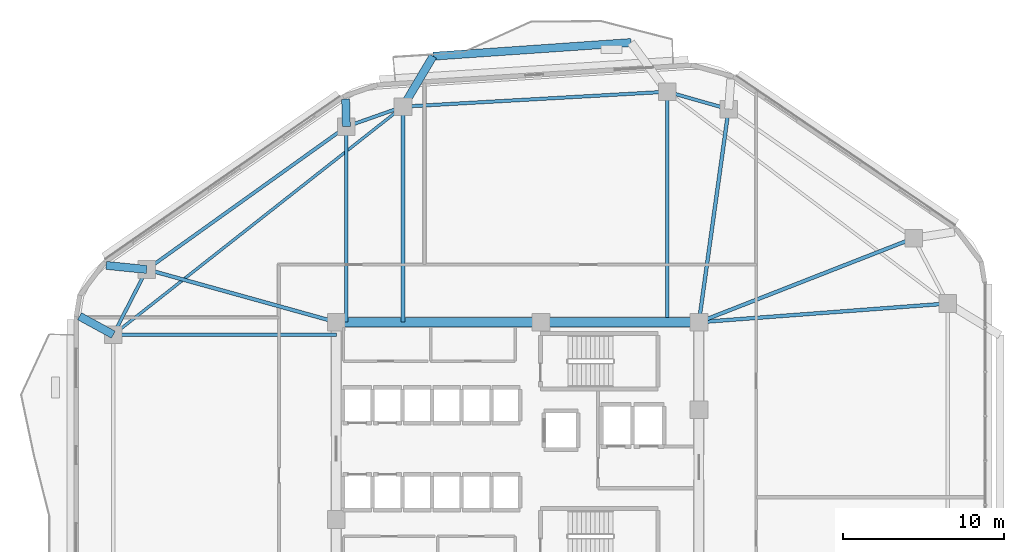
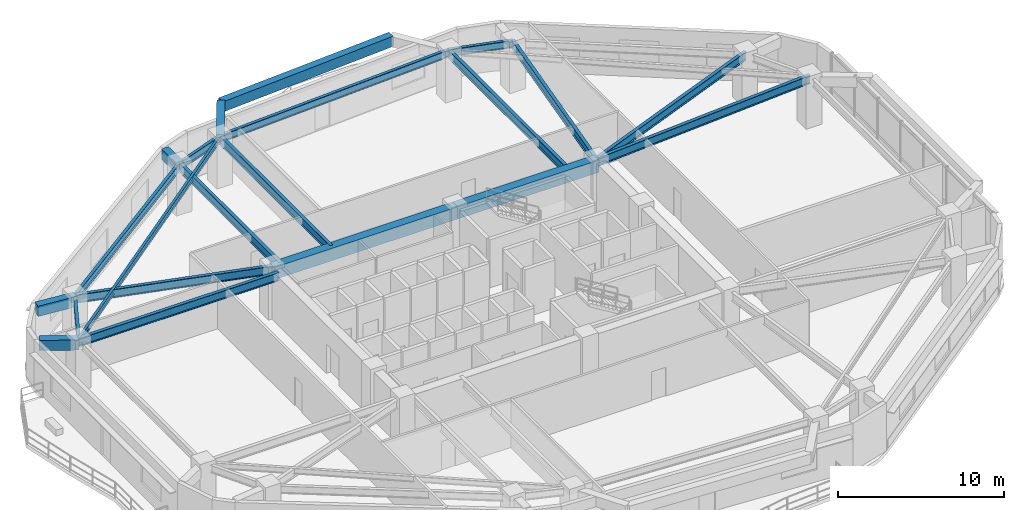
# One storey, part 5 of 13: 21 beams.
"""IFC4 building model written with IfcOpenShell, lengths in metres."""

import ifcopenshell
import ifcopenshell.guid

model = None  # the IFC model being written
_history = None  # IfcOwnerHistory: only IFC2X3 demands one
_inside = {}  # id of a spatial element -> (the spatial element, [elements in it])
_under = {}  # id of a project, library or spatial element -> (it, [spatial elements below it])
_declared = {}  # id of a project -> (the project, [libraries it declares])
_typed = {}  # id of a type object -> (the type object, [elements of that type])
_made_of = {}  # id of a material, layer set ... -> (it, [elements and type objects made of it])


def new_model(schema):
    """Start an empty IFC model of exactly this schema.

    Asked for "IFC4X3", IfcOpenShell would pick the latest addendum, in which some entities
    have other attributes; the version numbers below select the first issue.
    IFC2X3 requires an IfcOwnerHistory on every rooted entity: one is made here for all.
    """
    global model, _history
    if schema == "IFC4X3":
        model = ifcopenshell.file(schema_version=(4, 3, 0, 0))
    else:
        model = ifcopenshell.file(schema=schema)
    _inside.clear()
    _under.clear()
    _declared.clear()
    _typed.clear()
    _made_of.clear()
    _history = None
    if model.schema == "IFC2X3":
        org = make("IfcOrganization", Name="unknown")
        user = make(
            "IfcPersonAndOrganization",
            ThePerson=make("IfcPerson", FamilyName="unknown"),
            TheOrganization=org,
        )
        app = make(
            "IfcApplication",
            ApplicationDeveloper=org,
            Version="unknown",
            ApplicationFullName="unknown",
            ApplicationIdentifier="unknown",
        )
        _history = make(
            "IfcOwnerHistory",
            OwningUser=user,
            OwningApplication=app,
            ChangeAction="ADDED",
            CreationDate=0,
        )
    return model


def make(cls, **values):
    """One entity of the class cls with the attributes given. An attribute that is None is left unset."""
    return model.create_entity(
        cls, **{name: value for name, value in values.items() if value is not None}
    )


def rooted(cls, **values):
    """An entity with a GlobalId (a new one), such as an element, a storey or a relation."""
    return make(cls, GlobalId=ifcopenshell.guid.new(), OwnerHistory=_history, **values)


def si_unit(unit_type, name, prefix=None):
    """IfcSIUnit, for example si_unit("LENGTHUNIT", "METRE", prefix="MILLI")."""
    return make("IfcSIUnit", UnitType=unit_type, Prefix=prefix, Name=name)


def assignment(units):
    """IfcUnitAssignment: the units of a project."""
    return None if units is None else make("IfcUnitAssignment", Units=units)


def point(xyz):
    """IfcCartesianPoint."""
    return None if xyz is None else make("IfcCartesianPoint", Coordinates=xyz)


def direction(xyz):
    """IfcDirection."""
    return None if xyz is None else make("IfcDirection", DirectionRatios=xyz)


def frame(location, z_axis=None, x_axis=None):
    """IfcAxis2Placement3D, a coordinate frame: its origin and axes. An axis left out is left unset."""
    return make(
        "IfcAxis2Placement3D",
        Location=point(location),
        Axis=direction(z_axis),
        RefDirection=direction(x_axis),
    )


def frame_2d(location, x_axis=None):
    """IfcAxis2Placement2D, a coordinate frame in the plane: its origin and x axis."""
    return make(
        "IfcAxis2Placement2D", Location=point(location), RefDirection=direction(x_axis)
    )


def origin():
    """The frame at (0, 0, 0) with its axes left unset."""
    return frame((0.0, 0.0, 0.0))


def origin_2d():
    """The frame at (0, 0) in the plane with its x axis left unset."""
    return frame_2d((0.0, 0.0))


def place(relative_to, where):
    """IfcLocalPlacement: puts the frame where relative to a parent placement (None: the world)."""
    return make(
        "IfcLocalPlacement", PlacementRelTo=relative_to, RelativePlacement=where
    )


def context(
    kind, dimensions, precision=None, world=None, true_north=None, identifier=None
):
    """IfcGeometricRepresentationContext, for example the 3D "Model" context."""
    return make(
        "IfcGeometricRepresentationContext",
        ContextIdentifier=identifier,
        ContextType=kind,
        CoordinateSpaceDimension=dimensions,
        Precision=precision,
        WorldCoordinateSystem=world,
        TrueNorth=true_north,
    )


def subcontext(parent, identifier, kind, view, scale=None):
    """IfcGeometricRepresentationSubContext, for example "Body" below "Model"."""
    return make(
        "IfcGeometricRepresentationSubContext",
        ContextIdentifier=identifier,
        ContextType=kind,
        ParentContext=parent,
        TargetScale=scale,
        TargetView=view,
    )


def project(units=None, contexts=None):
    """IfcProject with its units and contexts."""
    return rooted(
        "IfcProject",
        Name="project",
        RepresentationContexts=contexts,
        UnitsInContext=assignment(units),
    )


def spatial(cls, under=None, at=None, **own):
    """A site, building, storey or space (cls), placed at a placement, below another one or the project."""
    s = rooted(cls, ObjectPlacement=at, **own)
    if under is not None:
        _under.setdefault(under.id(), (under, []))[1].append(s)
    return s


def profile(cls, at=None, kind="AREA", **sizes):
    """A parametric profile (cls). Its sizes go by their IFC names, for example OverallWidth=200.0."""
    return make(cls, ProfileType=kind, Position=at, **sizes)


def rectangle(**sizes):
    """IfcRectangleProfileDef."""
    return profile("IfcRectangleProfileDef", **sizes)


def i_section(**sizes):
    """IfcIShapeProfileDef."""
    return profile("IfcIShapeProfileDef", **sizes)


def extrude(swept, where, along, depth):
    """IfcExtrudedAreaSolid: the profile swept, set in the frame where, extruded along a direction by depth."""
    return make(
        "IfcExtrudedAreaSolid",
        SweptArea=swept,
        Position=where,
        ExtrudedDirection=direction(along),
        Depth=depth,
    )


def shape(context_of_items, identifier, shape_type, items):
    """IfcShapeRepresentation: the items that make up one representation, for example the "Body"."""
    return make(
        "IfcShapeRepresentation",
        ContextOfItems=context_of_items,
        RepresentationIdentifier=identifier,
        RepresentationType=shape_type,
        Items=items,
    )


def material(Name=None, Category=None):
    """IfcMaterial."""
    return make("IfcMaterial", Name=Name, Category=Category)


def material_profile(
    of_material, cross_section, Name=None, Category=None, Priority=None
):
    """IfcMaterialProfile: a cross section and its material."""
    return make(
        "IfcMaterialProfile",
        Name=Name,
        Material=of_material,
        Profile=cross_section,
        Priority=Priority,
        Category=Category,
    )


def profile_set(profiles, Name=None, composite=None):
    """IfcMaterialProfileSet."""
    return make(
        "IfcMaterialProfileSet",
        Name=Name,
        MaterialProfiles=profiles,
        CompositeProfile=composite,
    )


def made_of(thing, what):
    """Note that an element or type object is made of a material, layer set ...; save() writes the relation."""
    if what is not None:
        _made_of.setdefault(what.id(), (what, []))[1].append(thing)
    return thing


def type_object(cls, material=None, **own):
    """A type object (cls), such as IfcWallType, which elements share."""
    return made_of(rooted(cls, **own), material)


def element(
    cls,
    number,
    at=None,
    inside=None,
    cuts=None,
    type_object=None,
    material=None,
    context=None,
    identifier="Body",
    shape_type=None,
    held_by="IfcProductDefinitionShape",
    body=None,
    shapes=None,
    **own,
):
    """One element of the class cls, such as IfcWall. Its Tag is "e" and its number.

    at: its placement. inside: the storey or other place that contains it. cuts: it is an
    opening in that element (IfcRelVoidsElement). A single representation is given by context,
    identifier, shape_type and body (its items); several are given by shapes. held_by: the class
    of the entity that holds the representations. save() writes the other relations.
    """
    e = rooted(cls, Tag="e%d" % number, ObjectPlacement=at, **own)
    if body is not None:
        shapes = [shape(context, identifier, shape_type, body)]
    if shapes is not None:
        e.Representation = make(held_by, Representations=shapes)
    if inside is not None:
        _inside.setdefault(inside.id(), (inside, []))[1].append(e)
    if cuts is not None:
        rooted(
            "IfcRelVoidsElement", RelatingBuildingElement=cuts, RelatedOpeningElement=e
        )
    if type_object is not None:
        _typed.setdefault(type_object.id(), (type_object, []))[1].append(e)
    return made_of(e, material)


def aggregate(whole, parts):
    """IfcRelAggregates: a whole, such as a stair, and the parts it consists of."""
    return rooted("IfcRelAggregates", RelatingObject=whole, RelatedObjects=parts)


def save(model, path):
    """Write the relations noted so far, then the file.

    IfcRelAggregates (storeys below a building ...), IfcRelContainedInSpatialStructure (elements
    in a storey), IfcRelDefinesByType, IfcRelAssociatesMaterial and IfcRelDeclares: one each for
    every whole, place, type object, material and project.
    """
    for whole, parts in _under.values():
        aggregate(whole, parts)
    for where, things in _inside.values():
        rooted(
            "IfcRelContainedInSpatialStructure",
            RelatedElements=things,
            RelatingStructure=where,
        )
    for kind, things in _typed.values():
        rooted("IfcRelDefinesByType", RelatedObjects=things, RelatingType=kind)
    for what, things in _made_of.values():
        rooted("IfcRelAssociatesMaterial", RelatedObjects=things, RelatingMaterial=what)
    for by, libraries in _declared.values():
        rooted("IfcRelDeclares", RelatingContext=by, RelatedDefinitions=libraries)
    model.write(path)


model = new_model("IFC4")

# Units and contexts
model_context = context("Model", 3, precision=1e-05, world=origin(), true_north=direction((0.0, 1.0)))
body_context = subcontext(model_context, "Body", "Model", "MODEL_VIEW")
ifc_project = project(units=[si_unit("LENGTHUNIT", "METRE"), si_unit("AREAUNIT", "SQUARE_METRE"), si_unit("VOLUMEUNIT", "CUBIC_METRE"), si_unit("PLANEANGLEUNIT", "RADIAN"), si_unit("MASSUNIT", "GRAM", prefix="KILO")], contexts=[model_context])

# Site, building, storey
site_placement = place(None, origin())
site = spatial("IfcSite", under=ifc_project, at=site_placement, CompositionType="ELEMENT")
building_placement = place(site_placement, origin())
building = spatial("IfcBuilding", under=site, at=building_placement, Name="Zulverin Broadcast Headquarters", CompositionType="ELEMENT")
storey_placement = place(building_placement, frame((0.0, 0.0, 108.60009765625)))
storey = spatial("IfcBuildingStorey", under=building, at=storey_placement, Name="L27", CompositionType="ELEMENT", Elevation=108.60009765625)

# Beams
ifc_material_1 = material(Name="Concrete C60/75", Category="concrete")
ifc_material_profile_1 = material_profile(ifc_material_1, rectangle(XDim=0.60009765625, YDim=0.89990234375, at=origin_2d()), Name="Concrete C60/75", Category="concrete")
ifc_profile_set_1 = profile_set([ifc_material_profile_1], Name="Concrete C60/75")
beam_type_1 = type_object("IfcBeamType", Name="BM-CB-600x900", PredefinedType="LINTEL", material=ifc_profile_set_1)
beam_1_placement = place(storey_placement, frame((48.27490234375, 33.074951171875, 3.074951171875), z_axis=(-1.0, 0.0, 0.0), x_axis=(0.0, -1.0, 0.0)))
element("IfcBeam", 1, at=beam_1_placement, inside=storey, type_object=beam_type_1, Name="L27 Core Coupling Girder K05-K06", PredefinedType="LINTEL", context=body_context, shape_type="SweptSolid", body=[
    extrude(rectangle(XDim=0.60009765625, YDim=0.89990234375, at=origin_2d()), origin(), (0.0, 0.0, 1.0), 9.824951171875),
])
beam_2_placement = place(storey_placement, frame((38.449951171875, 33.074951171875, 3.074951171875), z_axis=(-1.0, 0.0, 0.0), x_axis=(0.0, -1.0, 0.0)))
element("IfcBeam", 2, at=beam_2_placement, inside=storey, type_object=beam_type_1, Name="L27 Core Coupling Girder K06-K07", PredefinedType="LINTEL", context=body_context, shape_type="SweptSolid", body=[
    extrude(rectangle(XDim=0.60009765625, YDim=0.89990234375, at=origin_2d()), origin(), (0.0, 0.0, 1.0), 12.724853515625),
])
ifc_material_2 = material(Name="Concrete C40/50", Category="concrete")
ifc_material_profile_2 = material_profile(ifc_material_2, rectangle(XDim=0.5, YDim=0.75, at=origin_2d()), Name="Concrete C40/50", Category="concrete")
ifc_profile_set_2 = profile_set([ifc_material_profile_2], Name="Concrete C40/50")
beam_type_2 = type_object("IfcBeamType", Name="BM-RC-500x750", PredefinedType="BEAM", material=ifc_profile_set_2)
beam_3_placement = place(storey_placement, frame((26.344482421875, 45.23828125, 3.14990234375), z_axis=(-0.025024345209, 0.999686842039, 0.0), x_axis=(-0.999686842039, -0.025024345209, 0.0)))
element("IfcBeam", 3, at=beam_3_placement, inside=storey, type_object=beam_type_2, Name="L28 Plate Overhang Back-Spanned Beam OVR-11", PredefinedType="BEAM", context=body_context, shape_type="SweptSolid", body=[
    extrude(rectangle(XDim=0.5, YDim=0.75, at=origin_2d()), origin(), (0.0, 0.0, 1.0), 1.707275390625),
])
beam_4_placement = place(storey_placement, frame((13.934326171875, 36.353759765625, 3.14990234375), z_axis=(-0.995008621602, 0.09978899207, 0.0), x_axis=(-0.09978899207, -0.995008621602, 0.0)))
element("IfcBeam", 4, at=beam_4_placement, inside=storey, type_object=beam_type_2, Name="L28 Plate Overhang Back-Spanned Beam OVR-12", PredefinedType="BEAM", context=body_context, shape_type="SweptSolid", body=[
    extrude(rectangle(XDim=0.5, YDim=0.75, at=origin_2d()), origin(), (0.0, 0.0, 1.0), 2.5419921875),
])
beam_5_placement = place(storey_placement, frame((11.85009765625, 32.298095703125, 3.14990234375), z_axis=(-0.877766851071, 0.479088045312, 0.0), x_axis=(-0.479088045312, -0.877766851071, 0.0)))
element("IfcBeam", 5, at=beam_5_placement, inside=storey, type_object=beam_type_2, Name="L28 Plate Overhang Back-Spanned Beam OVR-13", PredefinedType="BEAM", context=body_context, shape_type="SweptSolid", body=[
    extrude(rectangle(XDim=0.5, YDim=0.75, at=origin_2d()), origin(), (0.0, 0.0, 1.0), 2.392578125),
])
beam_6_placement = place(storey_placement, frame((29.873779296875, 46.482177734375, 3.14990234375), z_axis=(0.511007233639, 0.859576411477, 0.0), x_axis=(-0.859576411477, 0.511007233639, 0.0)))
element("IfcBeam", 6, at=beam_6_placement, inside=storey, type_object=beam_type_2, Name="L28 Balcony Column-Framed Cantilever BAL_N-2", PredefinedType="BEAM", context=body_context, shape_type="SweptSolid", body=[
    extrude(rectangle(XDim=0.5, YDim=0.75, at=origin_2d()), origin(), (0.0, 0.0, 1.0), 3.647705078125),
])
beam_7_placement = place(storey_placement, frame((44.049072265625, 50.46923828125, 3.14990234375), z_axis=(-0.997616354187, -0.069004419129, 0.0), x_axis=(0.069004419129, -0.997616354187, 0.0)))
element("IfcBeam", 7, at=beam_7_placement, inside=storey, type_object=beam_type_2, Name="L28 Balcony Outer Edge Trimmer Beam BAL_N", PredefinedType="BEAM", context=body_context, shape_type="SweptSolid", body=[
    extrude(rectangle(XDim=0.5, YDim=0.75, at=origin_2d()), origin(), (0.0, 0.0, 1.0), 12.340576171875),
])
ifc_material_3 = material(Name="Structural steel S355JR", Category="steel")
ifc_material_profile_3 = material_profile(ifc_material_3, i_section(OverallWidth=0.179443359375, OverallDepth=0.412841796875, WebThickness=0.009521484375, FlangeThickness=0.01611328125, at=origin_2d()), Name="Structural steel S355JR", Category="steel")
ifc_profile_set_3 = profile_set([ifc_material_profile_3], Name="Structural steel S355JR")
beam_type_3 = type_object("IfcBeamType", Name="BM-UB-406", PredefinedType="JOIST", material=ifc_profile_set_3)
beam_8_placement = place(storey_placement, frame((29.873779296875, 46.482177734375, 3.318603515625), z_axis=(-0.78583902739, -0.618431098047, 0.0), x_axis=(0.618431098047, -0.78583902739, 0.0)))
element("IfcBeam", 8, at=beam_8_placement, inside=storey, type_object=beam_type_3, Name="L27 Chordal Floor Joist J-03", PredefinedType="JOIST", context=body_context, shape_type="SweptSolid", body=[
    extrude(i_section(OverallWidth=0.179443359375, OverallDepth=0.412841796875, WebThickness=0.009521484375, FlangeThickness=0.01611328125, at=origin_2d()), origin(), (0.0, 0.0, 1.0), 22.935546875),
])
ifc_material_profile_4 = material_profile(ifc_material_3, i_section(OverallWidth=0.2119140625, OverallDepth=0.54443359375, WebThickness=0.0126953125, FlangeThickness=0.021240234375, at=origin_2d()), Name="Structural steel S355JR", Category="steel")
ifc_profile_set_4 = profile_set([ifc_material_profile_4], Name="Structural steel S355JR")
beam_type_4 = type_object("IfcBeamType", Name="BM-UB-533", PredefinedType="SPANDREL", material=ifc_profile_set_4)
beam_9_placement = place(storey_placement, frame((50.121826171875, 46.325927734375, 3.252685546875), z_axis=(-0.962058150721, 0.272844487999, 0.0), x_axis=(-0.272844487999, -0.962058150721, 0.0)))
element("IfcBeam", 9, at=beam_9_placement, inside=storey, type_object=beam_type_4, Name="L27 Perimeter Spandrel Beam SP-08", PredefinedType="SPANDREL", context=body_context, shape_type="SweptSolid", body=[
    extrude(i_section(OverallWidth=0.2119140625, OverallDepth=0.54443359375, WebThickness=0.0126953125, FlangeThickness=0.021240234375, at=origin_2d()), origin(), (0.0, 0.0, 1.0), 3.97021484375),
])
beam_10_placement = place(storey_placement, frame((46.30224609375, 47.4091796875, 3.252685546875), z_axis=(-0.998411812904, -0.056336949274, 0.0), x_axis=(0.056336949274, -0.998411812904, 0.0)))
element("IfcBeam", 10, at=beam_10_placement, inside=storey, type_object=beam_type_4, Name="L27 Perimeter Spandrel Beam SP-09", PredefinedType="SPANDREL", context=body_context, shape_type="SweptSolid", body=[
    extrude(i_section(OverallWidth=0.2119140625, OverallDepth=0.54443359375, WebThickness=0.0126953125, FlangeThickness=0.021240234375, at=origin_2d()), origin(), (0.0, 0.0, 1.0), 16.45458984375),
])
beam_11_placement = place(storey_placement, frame((29.873779296875, 46.482177734375, 3.252685546875), z_axis=(-0.943135983398, -0.332407155189, 0.0), x_axis=(0.332407155189, -0.943135983398, 0.0)))
element("IfcBeam", 11, at=beam_11_placement, inside=storey, type_object=beam_type_4, Name="L27 Perimeter Spandrel Beam SP-10", PredefinedType="SPANDREL", context=body_context, shape_type="SweptSolid", body=[
    extrude(i_section(OverallWidth=0.2119140625, OverallDepth=0.54443359375, WebThickness=0.0126953125, FlangeThickness=0.021240234375, at=origin_2d()), origin(), (0.0, 0.0, 1.0), 3.7421875),
])
beam_12_placement = place(storey_placement, frame((26.344482421875, 45.23828125, 3.252685546875), z_axis=(-0.813109374453, -0.582110938891, 0.0), x_axis=(0.582110938891, -0.813109374453, 0.0)))
element("IfcBeam", 12, at=beam_12_placement, inside=storey, type_object=beam_type_4, Name="L27 Perimeter Spandrel Beam SP-11", PredefinedType="SPANDREL", context=body_context, shape_type="SweptSolid", body=[
    extrude(i_section(OverallWidth=0.2119140625, OverallDepth=0.54443359375, WebThickness=0.0126953125, FlangeThickness=0.021240234375, at=origin_2d()), origin(), (0.0, 0.0, 1.0), 15.2626953125),
])
beam_13_placement = place(storey_placement, frame((13.934326171875, 36.353759765625, 3.252685546875), z_axis=(-0.457080631948, -0.889425261558, 0.0), x_axis=(0.889425261558, -0.457080631948, 0.0)))
element("IfcBeam", 13, at=beam_13_placement, inside=storey, type_object=beam_type_4, Name="L27 Perimeter Spandrel Beam SP-12", PredefinedType="SPANDREL", context=body_context, shape_type="SweptSolid", body=[
    extrude(i_section(OverallWidth=0.2119140625, OverallDepth=0.54443359375, WebThickness=0.0126953125, FlangeThickness=0.021240234375, at=origin_2d()), origin(), (0.0, 0.0, 1.0), 4.559814453125),
])
ifc_material_profile_5 = material_profile(ifc_material_3, i_section(OverallWidth=0.230224609375, OverallDepth=0.6171875, WebThickness=0.01318359375, FlangeThickness=0.022216796875, at=origin_2d()), Name="Structural steel S355JR", Category="steel")
ifc_profile_set_5 = profile_set([ifc_material_profile_5], Name="Structural steel S355JR")
beam_type_5 = type_object("IfcBeamType", Name="BM-UB-610", PredefinedType="BEAM", material=ifc_profile_set_5)
beam_14_placement = place(storey_placement, frame((48.27490234375, 33.074951171875, 3.21630859375), z_axis=(0.997201597387, 0.074759442003, 0.0), x_axis=(-0.074759442003, 0.997201597387, 0.0)))
element("IfcBeam", 14, at=beam_14_placement, inside=storey, type_object=beam_type_5, Name="L27 Radial Primary Floor Beam RB-06", PredefinedType="BEAM", context=body_context, shape_type="SweptSolid", body=[
    extrude(i_section(OverallWidth=0.230224609375, OverallDepth=0.6171875, WebThickness=0.01318359375, FlangeThickness=0.022216796875, at=origin_2d()), origin(), (0.0, 0.0, 1.0), 15.5185546875),
])
beam_15_placement = place(storey_placement, frame((48.27490234375, 33.074951171875, 3.21630859375), z_axis=(0.931297778153, 0.364258765723, 0.0), x_axis=(-0.364258765723, 0.931297778153, 0.0)))
element("IfcBeam", 15, at=beam_15_placement, inside=storey, type_object=beam_type_5, Name="L27 Radial Primary Floor Beam RB-07", PredefinedType="BEAM", context=body_context, shape_type="SweptSolid", body=[
    extrude(i_section(OverallWidth=0.230224609375, OverallDepth=0.6171875, WebThickness=0.01318359375, FlangeThickness=0.022216796875, at=origin_2d()), origin(), (0.0, 0.0, 1.0), 14.34033203125),
])
beam_16_placement = place(storey_placement, frame((48.27490234375, 33.074951171875, 3.21630859375), z_axis=(0.138045758193, 0.990425852169, 0.0), x_axis=(-0.990425852169, 0.138045758193, 0.0)))
element("IfcBeam", 16, at=beam_16_placement, inside=storey, type_object=beam_type_5, Name="L27 Radial Primary Floor Beam RB-08", PredefinedType="BEAM", context=body_context, shape_type="SweptSolid", body=[
    extrude(i_section(OverallWidth=0.230224609375, OverallDepth=0.6171875, WebThickness=0.01318359375, FlangeThickness=0.022216796875, at=origin_2d()), origin(), (0.0, 0.0, 1.0), 13.379150390625),
])
beam_17_placement = place(storey_placement, frame((46.30224609375, 33.074951171875, 3.21630859375), z_axis=(0.0, 1.0, 0.0), x_axis=(-1.0, 0.0, 0.0)))
element("IfcBeam", 17, at=beam_17_placement, inside=storey, type_object=beam_type_5, Name="L27 Radial Primary Floor Beam RB-09", PredefinedType="BEAM", context=body_context, shape_type="SweptSolid", body=[
    extrude(i_section(OverallWidth=0.230224609375, OverallDepth=0.6171875, WebThickness=0.01318359375, FlangeThickness=0.022216796875, at=origin_2d()), origin(), (0.0, 0.0, 1.0), 14.334228515625),
])
beam_18_placement = place(storey_placement, frame((29.873779296875, 33.074951171875, 3.21630859375), z_axis=(0.0, 1.0, 0.0), x_axis=(-1.0, 0.0, 0.0)))
element("IfcBeam", 18, at=beam_18_placement, inside=storey, type_object=beam_type_5, Name="L27 Radial Primary Floor Beam RB-10", PredefinedType="BEAM", context=body_context, shape_type="SweptSolid", body=[
    extrude(i_section(OverallWidth=0.230224609375, OverallDepth=0.6171875, WebThickness=0.01318359375, FlangeThickness=0.022216796875, at=origin_2d()), origin(), (0.0, 0.0, 1.0), 13.4072265625),
])
beam_19_placement = place(storey_placement, frame((26.344482421875, 33.074951171875, 3.21630859375), z_axis=(0.0, 1.0, 0.0), x_axis=(-1.0, 0.0, 0.0)))
element("IfcBeam", 19, at=beam_19_placement, inside=storey, type_object=beam_type_5, Name="L27 Radial Primary Floor Beam RB-11", PredefinedType="BEAM", context=body_context, shape_type="SweptSolid", body=[
    extrude(i_section(OverallWidth=0.230224609375, OverallDepth=0.6171875, WebThickness=0.01318359375, FlangeThickness=0.022216796875, at=origin_2d()), origin(), (0.0, 0.0, 1.0), 12.163330078125),
])
beam_20_placement = place(storey_placement, frame((25.72509765625, 33.074951171875, 3.21630859375), z_axis=(-0.963442133037, 0.267916509922, 0.0), x_axis=(-0.267916509922, -0.963442133037, 0.0)))
element("IfcBeam", 20, at=beam_20_placement, inside=storey, type_object=beam_type_5, Name="L27 Radial Primary Floor Beam RB-12", PredefinedType="BEAM", context=body_context, shape_type="SweptSolid", body=[
    extrude(i_section(OverallWidth=0.230224609375, OverallDepth=0.6171875, WebThickness=0.01318359375, FlangeThickness=0.022216796875, at=origin_2d()), origin(), (0.0, 0.0, 1.0), 12.23828125),
])
beam_21_placement = place(storey_placement, frame((25.72509765625, 32.298095703125, 3.21630859375), z_axis=(-1.0, 0.0, 0.0), x_axis=(0.0, -1.0, 0.0)))
element("IfcBeam", 21, at=beam_21_placement, inside=storey, type_object=beam_type_5, Name="L27 Radial Primary Floor Beam RB-13", PredefinedType="BEAM", context=body_context, shape_type="SweptSolid", body=[
    extrude(i_section(OverallWidth=0.230224609375, OverallDepth=0.6171875, WebThickness=0.01318359375, FlangeThickness=0.022216796875, at=origin_2d()), origin(), (0.0, 0.0, 1.0), 13.875),
])

save(model, "model.ifc")
